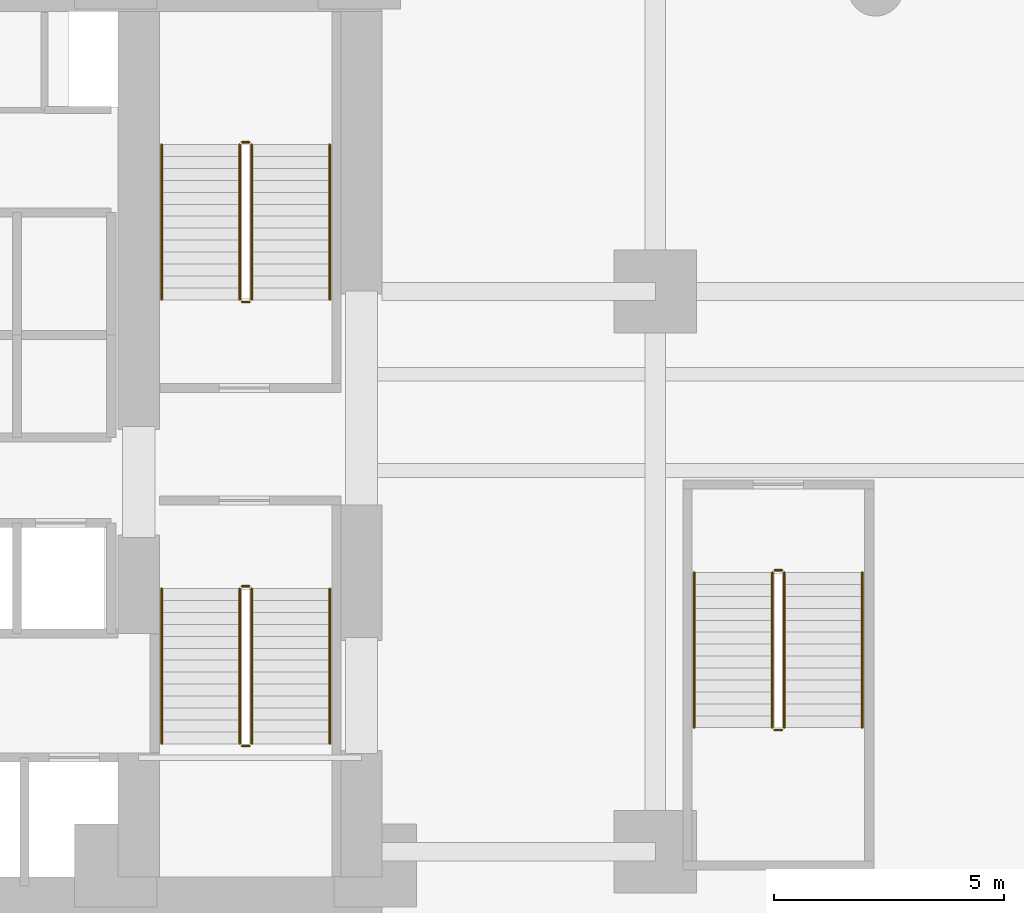
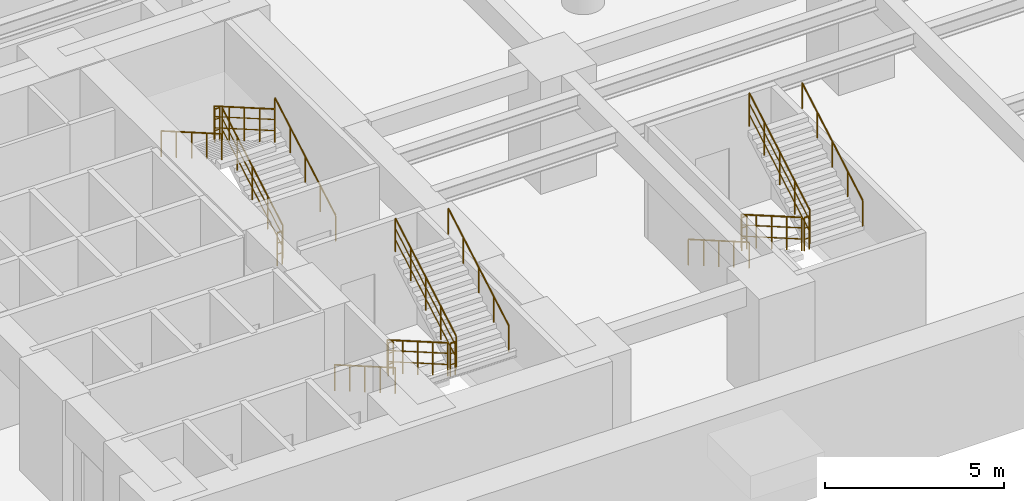
# One storey, part 5 of 5: 18 railings.
"""IFC4 building model written with IfcOpenShell, lengths in metres."""

from ifc_helpers import new_model, si_unit, direction, frame, origin, origin_2d, place, context, subcontext, project, spatial, circle, extrude, material, type_object, element, save


model = new_model("IFC4")

# Units and contexts
model_context = context("Model", 3, precision=1e-05, world=origin(), true_north=direction((0.0, 1.0)))
body_context = subcontext(model_context, "Body", "Model", "MODEL_VIEW")
ifc_project = project(units=[si_unit("LENGTHUNIT", "METRE"), si_unit("AREAUNIT", "SQUARE_METRE"), si_unit("VOLUMEUNIT", "CUBIC_METRE"), si_unit("PLANEANGLEUNIT", "RADIAN"), si_unit("MASSUNIT", "GRAM", prefix="KILO")], contexts=[model_context])

# Site, building, storey
site_placement = place(None, origin())
site = spatial("IfcSite", under=ifc_project, at=site_placement, CompositionType="ELEMENT")
building_placement = place(site_placement, origin())
building = spatial("IfcBuilding", under=site, at=building_placement, Name="Kolvaren Waterfront Exchange", CompositionType="ELEMENT")
storey_placement = place(building_placement, frame((0.0, 0.0, -4.199951171875)))
storey = spatial("IfcBuildingStorey", under=building, at=storey_placement, Name="B01", CompositionType="ELEMENT", Elevation=-4.199951171875)

# Railings
ifc_material = material(Name="Stainless steel 316", Category="steel")
railing_type_1 = type_object("IfcRailingType", Name="ARC-GUARD-STAIR", PredefinedType="GUARDRAIL", material=ifc_material)
railing_1_placement = place(storey_placement, frame((18.14990234375, 10.929931640625, 0.14990234375)))
element("IfcRailing", 1, at=railing_1_placement, inside=storey, type_object=railing_type_1, Name="B01 ST1 stair guard 1", PredefinedType="GUARDRAIL", context=body_context, shape_type="SweptSolid", body=[
    extrude(circle(Radius=0.02392578125, at=origin_2d()), frame((0.0, 0.0, 1.1259765625), z_axis=(0.0, -0.866183502775, 0.49972606448), x_axis=(1.0, 0.0, 0.0)), (0.0, 0.0, 1.0), 3.902099609375),
    extrude(circle(Radius=0.01611328125, at=origin_2d()), frame((0.0, 0.0, 0.390869140625), z_axis=(0.0, -0.866183502775, 0.49972606448), x_axis=(1.0, 0.0, 0.0)), (0.0, 0.0, 1.0), 3.902099609375),
    extrude(circle(Radius=0.01611328125, at=origin_2d()), frame((0.0, 0.0, 0.7705078125), z_axis=(0.0, -0.866183502775, 0.49972606448), x_axis=(1.0, 0.0, 0.0)), (0.0, 0.0, 1.0), 3.902099609375),
    extrude(circle(Radius=0.02099609375, at=origin_2d()), origin(), (0.0, 0.0, 1.0), 1.101806640625),
    extrude(circle(Radius=0.02099609375, at=origin_2d()), frame((0.0, -0.844970703125, 0.487548828125)), (0.0, 0.0, 1.0), 1.101806640625),
    extrude(circle(Radius=0.02099609375, at=origin_2d()), frame((0.0, -1.68994140625, 0.97509765625)), (0.0, 0.0, 1.0), 1.101806640625),
    extrude(circle(Radius=0.02099609375, at=origin_2d()), frame((0.0, -2.534912109375, 1.46240234375)), (0.0, 0.0, 1.0), 1.101806640625),
    extrude(circle(Radius=0.02099609375, at=origin_2d()), frame((0.0, -3.3798828125, 1.949951171875)), (0.0, 0.0, 1.0), 1.101806640625),
])
railing_2_placement = place(storey_placement, frame((18.199951171875, 7.5, 2.099853515625)))
element("IfcRailing", 2, at=railing_2_placement, inside=storey, type_object=railing_type_1, Name="B01 ST1 stair guard 2", PredefinedType="GUARDRAIL", context=body_context, shape_type="SweptSolid", body=[
    extrude(circle(Radius=0.02392578125, at=origin_2d()), frame((0.0, 0.0, 1.1259765625), z_axis=(1.0, 0.0, 0.0), x_axis=(0.0, 1.0, 0.0)), (0.0, 0.0, 1.0), 0.16015625),
    extrude(circle(Radius=0.01611328125, at=origin_2d()), frame((0.0, 0.0, 0.390869140625), z_axis=(1.0, 0.0, 0.0), x_axis=(0.0, 1.0, 0.0)), (0.0, 0.0, 1.0), 0.16015625),
    extrude(circle(Radius=0.01611328125, at=origin_2d()), frame((0.0, 0.0, 0.7705078125), z_axis=(1.0, 0.0, 0.0), x_axis=(0.0, 1.0, 0.0)), (0.0, 0.0, 1.0), 0.16015625),
    extrude(circle(Radius=0.02099609375, at=origin_2d()), origin(), (0.0, 0.0, 1.0), 1.101806640625),
    extrude(circle(Radius=0.02099609375, at=origin_2d()), frame((0.16015625, 0.0, 0.0)), (0.0, 0.0, 1.0), 1.101806640625),
])
railing_3_placement = place(storey_placement, frame((18.409912109375, 7.550048828125, 2.25)))
element("IfcRailing", 3, at=railing_3_placement, inside=storey, type_object=railing_type_1, Name="B01 ST1 stair guard 3", PredefinedType="GUARDRAIL", context=body_context, shape_type="SweptSolid", body=[
    extrude(circle(Radius=0.02392578125, at=origin_2d()), frame((0.0, 0.0, 1.1259765625), z_axis=(0.0, 0.866183502775, 0.49972606448), x_axis=(-1.0, 0.0, 0.0)), (0.0, 0.0, 1.0), 3.902099609375),
    extrude(circle(Radius=0.01611328125, at=origin_2d()), frame((0.0, 0.0, 0.390869140625), z_axis=(0.0, 0.866183502775, 0.49972606448), x_axis=(-1.0, 0.0, 0.0)), (0.0, 0.0, 1.0), 3.902099609375),
    extrude(circle(Radius=0.01611328125, at=origin_2d()), frame((0.0, 0.0, 0.7705078125), z_axis=(0.0, 0.866183502775, 0.49972606448), x_axis=(-1.0, 0.0, 0.0)), (0.0, 0.0, 1.0), 3.902099609375),
    extrude(circle(Radius=0.02099609375, at=origin_2d()), origin(), (0.0, 0.0, 1.0), 1.101806640625),
    extrude(circle(Radius=0.02099609375, at=origin_2d()), frame((0.0, 0.844970703125, 0.487548828125)), (0.0, 0.0, 1.0), 1.101806640625),
    extrude(circle(Radius=0.02099609375, at=origin_2d()), frame((0.0, 1.68994140625, 0.97509765625)), (0.0, 0.0, 1.0), 1.101806640625),
    extrude(circle(Radius=0.02099609375, at=origin_2d()), frame((0.0, 2.534912109375, 1.46240234375)), (0.0, 0.0, 1.0), 1.101806640625),
    extrude(circle(Radius=0.02099609375, at=origin_2d()), frame((0.0, 3.3798828125, 1.949951171875)), (0.0, 0.0, 1.0), 1.101806640625),
])
railing_4_placement = place(storey_placement, frame((18.199951171875, 10.97998046875, 0.0)))
element("IfcRailing", 4, at=railing_4_placement, inside=storey, type_object=railing_type_1, Name="B01 ST1 stair guard 4", PredefinedType="GUARDRAIL", context=body_context, shape_type="SweptSolid", body=[
    extrude(circle(Radius=0.02392578125, at=origin_2d()), frame((0.0, 0.0, 1.1259765625), z_axis=(1.0, 0.0, 0.0), x_axis=(0.0, 1.0, 0.0)), (0.0, 0.0, 1.0), 0.16015625),
    extrude(circle(Radius=0.01611328125, at=origin_2d()), frame((0.0, 0.0, 0.390869140625), z_axis=(1.0, 0.0, 0.0), x_axis=(0.0, 1.0, 0.0)), (0.0, 0.0, 1.0), 0.16015625),
    extrude(circle(Radius=0.01611328125, at=origin_2d()), frame((0.0, 0.0, 0.7705078125), z_axis=(1.0, 0.0, 0.0), x_axis=(0.0, 1.0, 0.0)), (0.0, 0.0, 1.0), 0.16015625),
    extrude(circle(Radius=0.02099609375, at=origin_2d()), origin(), (0.0, 0.0, 1.0), 1.101806640625),
    extrude(circle(Radius=0.02099609375, at=origin_2d()), frame((0.16015625, 0.0, 0.0)), (0.0, 0.0, 1.0), 1.101806640625),
])
railing_5_placement = place(storey_placement, frame((18.409912109375, 17.219970703125, 0.14990234375)))
element("IfcRailing", 5, at=railing_5_placement, inside=storey, type_object=railing_type_1, Name="B01 ST2 stair guard 1", PredefinedType="GUARDRAIL", context=body_context, shape_type="SweptSolid", body=[
    extrude(circle(Radius=0.02392578125, at=origin_2d()), frame((0.0, 0.0, 1.1259765625), z_axis=(0.0, 0.866199126228, 0.499698983112), x_axis=(-1.0, 0.0, 0.0)), (0.0, 0.0, 1.0), 3.90234375),
    extrude(circle(Radius=0.01611328125, at=origin_2d()), frame((0.0, 0.0, 0.390869140625), z_axis=(0.0, 0.866199126228, 0.499698983112), x_axis=(-1.0, 0.0, 0.0)), (0.0, 0.0, 1.0), 3.90234375),
    extrude(circle(Radius=0.01611328125, at=origin_2d()), frame((0.0, 0.0, 0.7705078125), z_axis=(0.0, 0.866199126228, 0.499698983112), x_axis=(-1.0, 0.0, 0.0)), (0.0, 0.0, 1.0), 3.90234375),
    extrude(circle(Radius=0.02099609375, at=origin_2d()), origin(), (0.0, 0.0, 1.0), 1.101806640625),
    extrude(circle(Radius=0.02099609375, at=origin_2d()), frame((0.0, 0.844970703125, 0.487548828125)), (0.0, 0.0, 1.0), 1.101806640625),
    extrude(circle(Radius=0.02099609375, at=origin_2d()), frame((0.0, 1.68994140625, 0.97509765625)), (0.0, 0.0, 1.0), 1.101806640625),
    extrude(circle(Radius=0.02099609375, at=origin_2d()), frame((0.0, 2.53515625, 1.46240234375)), (0.0, 0.0, 1.0), 1.101806640625),
    extrude(circle(Radius=0.02099609375, at=origin_2d()), frame((0.0, 3.380126953125, 1.949951171875)), (0.0, 0.0, 1.0), 1.101806640625),
])
railing_6_placement = place(storey_placement, frame((18.360107421875, 20.64990234375, 2.099853515625)))
element("IfcRailing", 6, at=railing_6_placement, inside=storey, type_object=railing_type_1, Name="B01 ST2 stair guard 2", PredefinedType="GUARDRAIL", context=body_context, shape_type="SweptSolid", body=[
    extrude(circle(Radius=0.02392578125, at=origin_2d()), frame((0.0, 0.0, 1.1259765625), z_axis=(-1.0, 0.0, 0.0), x_axis=(0.0, -1.0, 0.0)), (0.0, 0.0, 1.0), 0.16015625),
    extrude(circle(Radius=0.01611328125, at=origin_2d()), frame((0.0, 0.0, 0.390869140625), z_axis=(-1.0, 0.0, 0.0), x_axis=(0.0, -1.0, 0.0)), (0.0, 0.0, 1.0), 0.16015625),
    extrude(circle(Radius=0.01611328125, at=origin_2d()), frame((0.0, 0.0, 0.7705078125), z_axis=(-1.0, 0.0, 0.0), x_axis=(0.0, -1.0, 0.0)), (0.0, 0.0, 1.0), 0.16015625),
    extrude(circle(Radius=0.02099609375, at=origin_2d()), origin(), (0.0, 0.0, 1.0), 1.101806640625),
    extrude(circle(Radius=0.02099609375, at=origin_2d()), frame((-0.16015625, 0.0, 0.0)), (0.0, 0.0, 1.0), 1.101806640625),
])
railing_7_placement = place(storey_placement, frame((18.14990234375, 20.60009765625, 2.25)))
element("IfcRailing", 7, at=railing_7_placement, inside=storey, type_object=railing_type_1, Name="B01 ST2 stair guard 3", PredefinedType="GUARDRAIL", context=body_context, shape_type="SweptSolid", body=[
    extrude(circle(Radius=0.02392578125, at=origin_2d()), frame((0.0, 0.0, 1.1259765625), z_axis=(0.0, -0.866199126228, 0.499698983112), x_axis=(1.0, 0.0, 0.0)), (0.0, 0.0, 1.0), 3.90234375),
    extrude(circle(Radius=0.01611328125, at=origin_2d()), frame((0.0, 0.0, 0.390869140625), z_axis=(0.0, -0.866199126228, 0.499698983112), x_axis=(1.0, 0.0, 0.0)), (0.0, 0.0, 1.0), 3.90234375),
    extrude(circle(Radius=0.01611328125, at=origin_2d()), frame((0.0, 0.0, 0.7705078125), z_axis=(0.0, -0.866199126228, 0.499698983112), x_axis=(1.0, 0.0, 0.0)), (0.0, 0.0, 1.0), 3.90234375),
    extrude(circle(Radius=0.02099609375, at=origin_2d()), origin(), (0.0, 0.0, 1.0), 1.101806640625),
    extrude(circle(Radius=0.02099609375, at=origin_2d()), frame((0.0, -0.844970703125, 0.487548828125)), (0.0, 0.0, 1.0), 1.101806640625),
    extrude(circle(Radius=0.02099609375, at=origin_2d()), frame((0.0, -1.68994140625, 0.97509765625)), (0.0, 0.0, 1.0), 1.101806640625),
    extrude(circle(Radius=0.02099609375, at=origin_2d()), frame((0.0, -2.53515625, 1.46240234375)), (0.0, 0.0, 1.0), 1.101806640625),
    extrude(circle(Radius=0.02099609375, at=origin_2d()), frame((0.0, -3.380126953125, 1.949951171875)), (0.0, 0.0, 1.0), 1.101806640625),
])
railing_8_placement = place(storey_placement, frame((18.360107421875, 17.169921875, 0.0)))
element("IfcRailing", 8, at=railing_8_placement, inside=storey, type_object=railing_type_1, Name="B01 ST2 stair guard 4", PredefinedType="GUARDRAIL", context=body_context, shape_type="SweptSolid", body=[
    extrude(circle(Radius=0.02392578125, at=origin_2d()), frame((0.0, 0.0, 1.1259765625), z_axis=(-1.0, 0.0, 0.0), x_axis=(0.0, -1.0, 0.0)), (0.0, 0.0, 1.0), 0.16015625),
    extrude(circle(Radius=0.01611328125, at=origin_2d()), frame((0.0, 0.0, 0.390869140625), z_axis=(-1.0, 0.0, 0.0), x_axis=(0.0, -1.0, 0.0)), (0.0, 0.0, 1.0), 0.16015625),
    extrude(circle(Radius=0.01611328125, at=origin_2d()), frame((0.0, 0.0, 0.7705078125), z_axis=(-1.0, 0.0, 0.0), x_axis=(0.0, -1.0, 0.0)), (0.0, 0.0, 1.0), 0.16015625),
    extrude(circle(Radius=0.02099609375, at=origin_2d()), origin(), (0.0, 0.0, 1.0), 1.101806640625),
    extrude(circle(Radius=0.02099609375, at=origin_2d()), frame((-0.16015625, 0.0, 0.0)), (0.0, 0.0, 1.0), 1.101806640625),
])
railing_9_placement = place(storey_placement, frame((29.75, 11.280029296875, 0.14990234375)))
element("IfcRailing", 9, at=railing_9_placement, inside=storey, type_object=railing_type_1, Name="B01 ST3 stair guard 1", PredefinedType="GUARDRAIL", context=body_context, shape_type="SweptSolid", body=[
    extrude(circle(Radius=0.02392578125, at=origin_2d()), frame((0.0, 0.0, 1.1259765625), z_axis=(0.0, -0.866199126228, 0.499698983112), x_axis=(1.0, 0.0, 0.0)), (0.0, 0.0, 1.0), 3.90234375),
    extrude(circle(Radius=0.01611328125, at=origin_2d()), frame((0.0, 0.0, 0.390869140625), z_axis=(0.0, -0.866199126228, 0.499698983112), x_axis=(1.0, 0.0, 0.0)), (0.0, 0.0, 1.0), 3.90234375),
    extrude(circle(Radius=0.01611328125, at=origin_2d()), frame((0.0, 0.0, 0.7705078125), z_axis=(0.0, -0.866199126228, 0.499698983112), x_axis=(1.0, 0.0, 0.0)), (0.0, 0.0, 1.0), 3.90234375),
    extrude(circle(Radius=0.02099609375, at=origin_2d()), origin(), (0.0, 0.0, 1.0), 1.101806640625),
    extrude(circle(Radius=0.02099609375, at=origin_2d()), frame((0.0, -0.844970703125, 0.487548828125)), (0.0, 0.0, 1.0), 1.101806640625),
    extrude(circle(Radius=0.02099609375, at=origin_2d()), frame((0.0, -1.68994140625, 0.97509765625)), (0.0, 0.0, 1.0), 1.101806640625),
    extrude(circle(Radius=0.02099609375, at=origin_2d()), frame((0.0, -2.53515625, 1.46240234375)), (0.0, 0.0, 1.0), 1.101806640625),
    extrude(circle(Radius=0.02099609375, at=origin_2d()), frame((0.0, -3.380126953125, 1.949951171875)), (0.0, 0.0, 1.0), 1.101806640625),
])
railing_10_placement = place(storey_placement, frame((29.800048828125, 7.85009765625, 2.099853515625)))
element("IfcRailing", 10, at=railing_10_placement, inside=storey, type_object=railing_type_1, Name="B01 ST3 stair guard 2", PredefinedType="GUARDRAIL", context=body_context, shape_type="SweptSolid", body=[
    extrude(circle(Radius=0.02392578125, at=origin_2d()), frame((0.0, 0.0, 1.1259765625), z_axis=(1.0, 0.0, 0.0), x_axis=(0.0, 1.0, 0.0)), (0.0, 0.0, 1.0), 0.159912109375),
    extrude(circle(Radius=0.01611328125, at=origin_2d()), frame((0.0, 0.0, 0.390869140625), z_axis=(1.0, 0.0, 0.0), x_axis=(0.0, 1.0, 0.0)), (0.0, 0.0, 1.0), 0.159912109375),
    extrude(circle(Radius=0.01611328125, at=origin_2d()), frame((0.0, 0.0, 0.7705078125), z_axis=(1.0, 0.0, 0.0), x_axis=(0.0, 1.0, 0.0)), (0.0, 0.0, 1.0), 0.159912109375),
    extrude(circle(Radius=0.02099609375, at=origin_2d()), origin(), (0.0, 0.0, 1.0), 1.101806640625),
    extrude(circle(Radius=0.02099609375, at=origin_2d()), frame((0.159912109375, 0.0, 0.0)), (0.0, 0.0, 1.0), 1.101806640625),
])
railing_11_placement = place(storey_placement, frame((30.010009765625, 7.89990234375, 2.25)))
element("IfcRailing", 11, at=railing_11_placement, inside=storey, type_object=railing_type_1, Name="B01 ST3 stair guard 3", PredefinedType="GUARDRAIL", context=body_context, shape_type="SweptSolid", body=[
    extrude(circle(Radius=0.02392578125, at=origin_2d()), frame((0.0, 0.0, 1.1259765625), z_axis=(0.0, 0.866199126228, 0.499698983112), x_axis=(-1.0, 0.0, 0.0)), (0.0, 0.0, 1.0), 3.90234375),
    extrude(circle(Radius=0.01611328125, at=origin_2d()), frame((0.0, 0.0, 0.390869140625), z_axis=(0.0, 0.866199126228, 0.499698983112), x_axis=(-1.0, 0.0, 0.0)), (0.0, 0.0, 1.0), 3.90234375),
    extrude(circle(Radius=0.01611328125, at=origin_2d()), frame((0.0, 0.0, 0.7705078125), z_axis=(0.0, 0.866199126228, 0.499698983112), x_axis=(-1.0, 0.0, 0.0)), (0.0, 0.0, 1.0), 3.90234375),
    extrude(circle(Radius=0.02099609375, at=origin_2d()), origin(), (0.0, 0.0, 1.0), 1.101806640625),
    extrude(circle(Radius=0.02099609375, at=origin_2d()), frame((0.0, 0.844970703125, 0.487548828125)), (0.0, 0.0, 1.0), 1.101806640625),
    extrude(circle(Radius=0.02099609375, at=origin_2d()), frame((0.0, 1.68994140625, 0.97509765625)), (0.0, 0.0, 1.0), 1.101806640625),
    extrude(circle(Radius=0.02099609375, at=origin_2d()), frame((0.0, 2.53515625, 1.46240234375)), (0.0, 0.0, 1.0), 1.101806640625),
    extrude(circle(Radius=0.02099609375, at=origin_2d()), frame((0.0, 3.380126953125, 1.949951171875)), (0.0, 0.0, 1.0), 1.101806640625),
])
railing_12_placement = place(storey_placement, frame((29.800048828125, 11.330078125, 0.0)))
element("IfcRailing", 12, at=railing_12_placement, inside=storey, type_object=railing_type_1, Name="B01 ST3 stair guard 4", PredefinedType="GUARDRAIL", context=body_context, shape_type="SweptSolid", body=[
    extrude(circle(Radius=0.02392578125, at=origin_2d()), frame((0.0, 0.0, 1.1259765625), z_axis=(1.0, 0.0, 0.0), x_axis=(0.0, 1.0, 0.0)), (0.0, 0.0, 1.0), 0.159912109375),
    extrude(circle(Radius=0.01611328125, at=origin_2d()), frame((0.0, 0.0, 0.390869140625), z_axis=(1.0, 0.0, 0.0), x_axis=(0.0, 1.0, 0.0)), (0.0, 0.0, 1.0), 0.159912109375),
    extrude(circle(Radius=0.01611328125, at=origin_2d()), frame((0.0, 0.0, 0.7705078125), z_axis=(1.0, 0.0, 0.0), x_axis=(0.0, 1.0, 0.0)), (0.0, 0.0, 1.0), 0.159912109375),
    extrude(circle(Radius=0.02099609375, at=origin_2d()), origin(), (0.0, 0.0, 1.0), 1.101806640625),
    extrude(circle(Radius=0.02099609375, at=origin_2d()), frame((0.159912109375, 0.0, 0.0)), (0.0, 0.0, 1.0), 1.101806640625),
])
railing_type_2 = type_object("IfcRailingType", Name="ARC-HANDRAIL-900", PredefinedType="HANDRAIL", material=ifc_material)
railing_13_placement = place(storey_placement, frame((16.449951171875, 10.929931640625, 0.14990234375)))
element("IfcRailing", 13, at=railing_13_placement, inside=storey, type_object=railing_type_2, Name="B01 ST1 stair handrail 1", PredefinedType="HANDRAIL", context=body_context, shape_type="SweptSolid", body=[
    extrude(circle(Radius=0.02392578125, at=origin_2d()), frame((0.0, 0.0, 0.8759765625), z_axis=(0.0, -0.866183502775, 0.49972606448), x_axis=(1.0, 0.0, 0.0)), (0.0, 0.0, 1.0), 3.902099609375),
    extrude(circle(Radius=0.02099609375, at=origin_2d()), origin(), (0.0, 0.0, 1.0), 0.851806640625),
    extrude(circle(Radius=0.02099609375, at=origin_2d()), frame((0.0, -0.844970703125, 0.487548828125)), (0.0, 0.0, 1.0), 0.851806640625),
    extrude(circle(Radius=0.02099609375, at=origin_2d()), frame((0.0, -1.68994140625, 0.97509765625)), (0.0, 0.0, 1.0), 0.851806640625),
    extrude(circle(Radius=0.02099609375, at=origin_2d()), frame((0.0, -2.534912109375, 1.46240234375)), (0.0, 0.0, 1.0), 0.851806640625),
    extrude(circle(Radius=0.02099609375, at=origin_2d()), frame((0.0, -3.3798828125, 1.949951171875)), (0.0, 0.0, 1.0), 0.851806640625),
])
railing_14_placement = place(storey_placement, frame((20.110107421875, 7.550048828125, 2.25)))
element("IfcRailing", 14, at=railing_14_placement, inside=storey, type_object=railing_type_2, Name="B01 ST1 stair handrail 2", PredefinedType="HANDRAIL", context=body_context, shape_type="SweptSolid", body=[
    extrude(circle(Radius=0.02392578125, at=origin_2d()), frame((0.0, 0.0, 0.8759765625), z_axis=(0.0, 0.866183502775, 0.49972606448), x_axis=(-1.0, 0.0, 0.0)), (0.0, 0.0, 1.0), 3.902099609375),
    extrude(circle(Radius=0.02099609375, at=origin_2d()), origin(), (0.0, 0.0, 1.0), 0.851806640625),
    extrude(circle(Radius=0.02099609375, at=origin_2d()), frame((0.0, 0.844970703125, 0.487548828125)), (0.0, 0.0, 1.0), 0.851806640625),
    extrude(circle(Radius=0.02099609375, at=origin_2d()), frame((0.0, 1.68994140625, 0.97509765625)), (0.0, 0.0, 1.0), 0.851806640625),
    extrude(circle(Radius=0.02099609375, at=origin_2d()), frame((0.0, 2.534912109375, 1.46240234375)), (0.0, 0.0, 1.0), 0.851806640625),
    extrude(circle(Radius=0.02099609375, at=origin_2d()), frame((0.0, 3.3798828125, 1.949951171875)), (0.0, 0.0, 1.0), 0.851806640625),
])
railing_15_placement = place(storey_placement, frame((20.110107421875, 17.219970703125, 0.14990234375)))
element("IfcRailing", 15, at=railing_15_placement, inside=storey, type_object=railing_type_2, Name="B01 ST2 stair handrail 1", PredefinedType="HANDRAIL", context=body_context, shape_type="SweptSolid", body=[
    extrude(circle(Radius=0.02392578125, at=origin_2d()), frame((0.0, 0.0, 0.8759765625), z_axis=(0.0, 0.866199126228, 0.499698983112), x_axis=(-1.0, 0.0, 0.0)), (0.0, 0.0, 1.0), 3.90234375),
    extrude(circle(Radius=0.02099609375, at=origin_2d()), origin(), (0.0, 0.0, 1.0), 0.851806640625),
    extrude(circle(Radius=0.02099609375, at=origin_2d()), frame((0.0, 0.844970703125, 0.487548828125)), (0.0, 0.0, 1.0), 0.851806640625),
    extrude(circle(Radius=0.02099609375, at=origin_2d()), frame((0.0, 1.68994140625, 0.97509765625)), (0.0, 0.0, 1.0), 0.851806640625),
    extrude(circle(Radius=0.02099609375, at=origin_2d()), frame((0.0, 2.53515625, 1.46240234375)), (0.0, 0.0, 1.0), 0.851806640625),
    extrude(circle(Radius=0.02099609375, at=origin_2d()), frame((0.0, 3.380126953125, 1.949951171875)), (0.0, 0.0, 1.0), 0.851806640625),
])
for number, where, name in (
    (16, (16.449951171875, 20.60009765625, 2.25), "B01 ST2 stair handrail 2"),
    (17, (28.050048828125, 11.280029296875, 0.14990234375), "B01 ST3 stair handrail 1"),
):
    element("IfcRailing", number, at=place(storey_placement, frame(where)), inside=storey, type_object=railing_type_2, Name=name, PredefinedType="HANDRAIL", context=body_context, shape_type="SweptSolid", body=[
        extrude(circle(Radius=0.02392578125, at=origin_2d()), frame((0.0, 0.0, 0.8759765625), z_axis=(0.0, -0.866199126228, 0.499698983112), x_axis=(1.0, 0.0, 0.0)), (0.0, 0.0, 1.0), 3.90234375),
        extrude(circle(Radius=0.02099609375, at=origin_2d()), origin(), (0.0, 0.0, 1.0), 0.851806640625),
        extrude(circle(Radius=0.02099609375, at=origin_2d()), frame((0.0, -0.844970703125, 0.487548828125)), (0.0, 0.0, 1.0), 0.851806640625),
        extrude(circle(Radius=0.02099609375, at=origin_2d()), frame((0.0, -1.68994140625, 0.97509765625)), (0.0, 0.0, 1.0), 0.851806640625),
        extrude(circle(Radius=0.02099609375, at=origin_2d()), frame((0.0, -2.53515625, 1.46240234375)), (0.0, 0.0, 1.0), 0.851806640625),
        extrude(circle(Radius=0.02099609375, at=origin_2d()), frame((0.0, -3.380126953125, 1.949951171875)), (0.0, 0.0, 1.0), 0.851806640625),
    ])
railing_16_placement = place(storey_placement, frame((31.7099609375, 7.89990234375, 2.25)))
element("IfcRailing", 18, at=railing_16_placement, inside=storey, type_object=railing_type_2, Name="B01 ST3 stair handrail 2", PredefinedType="HANDRAIL", context=body_context, shape_type="SweptSolid", body=[
    extrude(circle(Radius=0.02392578125, at=origin_2d()), frame((0.0, 0.0, 0.8759765625), z_axis=(0.0, 0.866199126228, 0.499698983112), x_axis=(-1.0, 0.0, 0.0)), (0.0, 0.0, 1.0), 3.90234375),
    extrude(circle(Radius=0.02099609375, at=origin_2d()), origin(), (0.0, 0.0, 1.0), 0.851806640625),
    extrude(circle(Radius=0.02099609375, at=origin_2d()), frame((0.0, 0.844970703125, 0.487548828125)), (0.0, 0.0, 1.0), 0.851806640625),
    extrude(circle(Radius=0.02099609375, at=origin_2d()), frame((0.0, 1.68994140625, 0.97509765625)), (0.0, 0.0, 1.0), 0.851806640625),
    extrude(circle(Radius=0.02099609375, at=origin_2d()), frame((0.0, 2.53515625, 1.46240234375)), (0.0, 0.0, 1.0), 0.851806640625),
    extrude(circle(Radius=0.02099609375, at=origin_2d()), frame((0.0, 3.380126953125, 1.949951171875)), (0.0, 0.0, 1.0), 0.851806640625),
])

save(model, "model.ifc")
